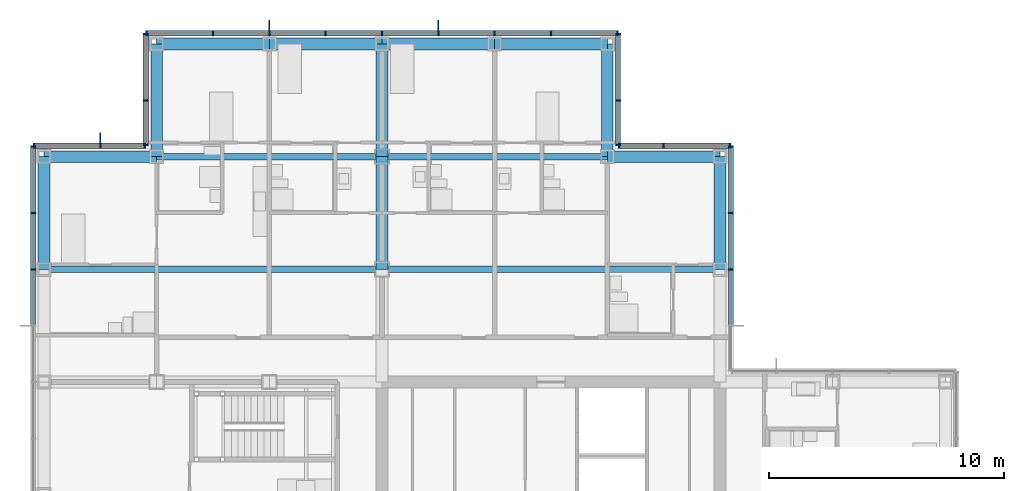
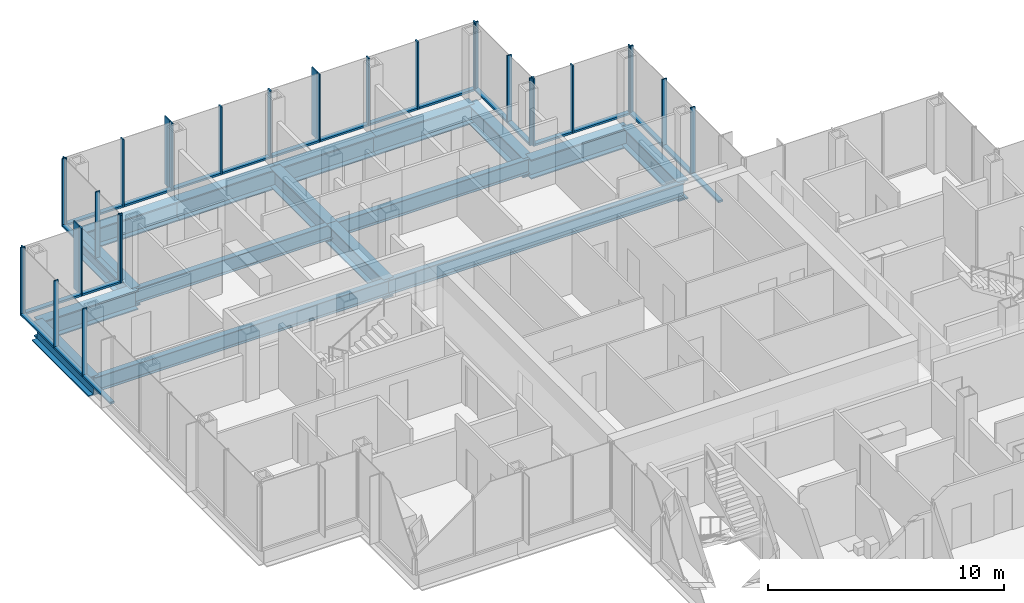
# One storey, part 10 of 20: 52 members, 16 beams, 7 elements without a shape of their own.
"""IFC4 building model written with IfcOpenShell, lengths in metres."""

from ifc_helpers import new_model, si_unit, direction, frame, origin, origin_2d, place, context, subcontext, project, spatial, rectangle, i_section, extrude, material, material_profile, profile_set, type_object, element, aggregate, save


model = new_model("IFC4")

# Units and contexts
model_context = context("Model", 3, precision=1e-05, world=origin(), true_north=direction((0.0, 1.0)))
body_context = subcontext(model_context, "Body", "Model", "MODEL_VIEW")
ifc_project = project(units=[si_unit("LENGTHUNIT", "METRE"), si_unit("AREAUNIT", "SQUARE_METRE"), si_unit("VOLUMEUNIT", "CUBIC_METRE"), si_unit("PLANEANGLEUNIT", "RADIAN"), si_unit("MASSUNIT", "GRAM", prefix="KILO")], contexts=[model_context])

# Site, building, storey
site_placement = place(None, origin())
site = spatial("IfcSite", under=ifc_project, at=site_placement, CompositionType="ELEMENT")
building_placement = place(site_placement, origin())
building = spatial("IfcBuilding", under=site, at=building_placement, Name="Kvirike Care Tower", CompositionType="ELEMENT")
storey_placement = place(building_placement, frame((0.0, 0.0, 119.0)))
storey = spatial("IfcBuildingStorey", under=building, at=storey_placement, Name="L32", CompositionType="ELEMENT", Elevation=119.0)

# Curtain wall, members
ifc_material_1 = material(Name="Anodised aluminium stick system", Category="aluminium")
curtain_wall_type = type_object("IfcCurtainWallType", Name="CW-B STICK CURTAIN WALL", PredefinedType="NOTDEFINED", material=ifc_material_1)
curtain_wall_1_placement = place(storey_placement, origin())
curtain_wall_1 = element("IfcCurtainWall", 1, at=curtain_wall_1_placement, inside=storey, type_object=curtain_wall_type, Name="Curtain wall L32 face 8", PredefinedType="NOTDEFINED")
ifc_material_2 = material(Name="Bronze anodised aluminium fin", Category="aluminium")
ifc_material_profile_1 = material_profile(ifc_material_2, rectangle(XDim=0.050048828125, YDim=0.449951171875, at=origin_2d()), Name="BRONZE FIN 450")
ifc_profile_set_1 = profile_set([ifc_material_profile_1], Name="Bronze anodised aluminium fin")
member_type_1 = type_object("IfcMemberType", Name="BRONZE FIN 450", PredefinedType="USERDEFINED", material=ifc_profile_set_1)
member_1_placement = place(storey_placement, frame((16.800048828125, 58.39501953125, 0.0), z_axis=(0.0, 0.0, 1.0), x_axis=(-1.0, 0.0, 0.0)))
member_1 = element("IfcMember", 2, at=member_1_placement, type_object=member_type_1, Name="Bronze fin L32 face 8.4", ObjectType="FIN", PredefinedType="USERDEFINED", context=body_context, shape_type="SweptSolid", body=[
    extrude(rectangle(XDim=0.050048828125, YDim=0.449951171875, at=origin_2d()), origin(), (0.0, 0.0, 1.0), 3.5),
])
member_2_placement = place(storey_placement, frame((9.60009765625, 58.39501953125, 0.0), z_axis=(0.0, 0.0, 1.0), x_axis=(-1.0, 0.0, 0.0)))
member_2 = element("IfcMember", 3, at=member_2_placement, type_object=member_type_1, Name="Bronze fin L32 face 8.7", ObjectType="FIN", PredefinedType="USERDEFINED", context=body_context, shape_type="SweptSolid", body=[
    extrude(rectangle(XDim=0.050048828125, YDim=0.449951171875, at=origin_2d()), origin(), (0.0, 0.0, 1.0), 3.5),
])

# Curtain wall, member
curtain_wall_2_placement = place(storey_placement, origin())
curtain_wall_2 = element("IfcCurtainWall", 4, at=curtain_wall_2_placement, inside=storey, type_object=curtain_wall_type, Name="Curtain wall L32 face 10", PredefinedType="NOTDEFINED")
member_3_placement = place(storey_placement, frame((2.39990234375, 53.594970703125, 0.0), z_axis=(0.0, 0.0, 1.0), x_axis=(-1.0, 0.0, 0.0)))
member_3 = element("IfcMember", 5, at=member_3_placement, type_object=member_type_1, Name="Bronze fin L32 face 10.2", ObjectType="FIN", PredefinedType="USERDEFINED", context=body_context, shape_type="SweptSolid", body=[
    extrude(rectangle(XDim=0.050048828125, YDim=0.449951171875, at=origin_2d()), origin(), (0.0, 0.0, 1.0), 3.5),
])

# Curtain wall, members
curtain_wall_3_placement = place(storey_placement, origin())
curtain_wall_3 = element("IfcCurtainWall", 6, at=curtain_wall_3_placement, inside=storey, type_object=curtain_wall_type, Name="Curtain wall L32 face 5", PredefinedType="NOTDEFINED")
ifc_material_3 = material(Name="Bronze anodised aluminium mullion", Category="aluminium")
ifc_material_profile_2 = material_profile(ifc_material_3, rectangle(XDim=0.06494140625, YDim=0.219970703125, at=origin_2d()), Name="CW-B MULLION 65x220")
ifc_profile_set_2 = profile_set([ifc_material_profile_2], Name="Bronze anodised aluminium mullion")
member_type_2 = type_object("IfcMemberType", Name="CW-B MULLION 65x220", PredefinedType="MULLION", material=ifc_profile_set_2)
member_4_placement = place(storey_placement, frame((29.260009765625, 48.0, 0.0), z_axis=(0.0, 0.0, 1.0), x_axis=(0.0, 1.0, 0.0)))
member_4 = element("IfcMember", 7, at=member_4_placement, type_object=member_type_2, Name="CW-B mullion L32 face 5.3", PredefinedType="MULLION", context=body_context, shape_type="SweptSolid", body=[
    extrude(rectangle(XDim=0.06494140625, YDim=0.219970703125, at=origin_2d()), origin(), (0.0, 0.0, 1.0), 3.5),
])
member_5_placement = place(storey_placement, frame((29.260009765625, 50.39990234375, 0.0), z_axis=(0.0, 0.0, 1.0), x_axis=(0.0, 1.0, 0.0)))
member_5 = element("IfcMember", 8, at=member_5_placement, type_object=member_type_2, Name="CW-B mullion L32 face 5.4", PredefinedType="MULLION", context=body_context, shape_type="SweptSolid", body=[
    extrude(rectangle(XDim=0.06494140625, YDim=0.219970703125, at=origin_2d()), origin(), (0.0, 0.0, 1.0), 3.5),
])
member_6_placement = place(storey_placement, frame((29.260009765625, 53.2275390625, 0.0), z_axis=(0.0, 0.0, 1.0), x_axis=(0.0, 1.0, 0.0)))
member_6 = element("IfcMember", 9, at=member_6_placement, type_object=member_type_2, Name="CW-B mullion L32 face 5.5", PredefinedType="MULLION", context=body_context, shape_type="SweptSolid", body=[
    extrude(rectangle(XDim=0.06494140625, YDim=0.219970703125, at=origin_2d()), origin(), (0.0, 0.0, 1.0), 3.5),
])

curtain_wall_4_placement = place(storey_placement, origin())
curtain_wall_4 = element("IfcCurtainWall", 10, at=curtain_wall_4_placement, inside=storey, type_object=curtain_wall_type, Name="Curtain wall L32 face 6", PredefinedType="NOTDEFINED")
member_7_placement = place(storey_placement, frame((29.2275390625, 53.260009765625, 0.0), z_axis=(0.0, 0.0, 1.0), x_axis=(-1.0, 0.0, 0.0)))
member_7 = element("IfcMember", 11, at=member_7_placement, type_object=member_type_2, Name="CW-B mullion L32 face 6.1", PredefinedType="MULLION", context=body_context, shape_type="SweptSolid", body=[
    extrude(rectangle(XDim=0.06494140625, YDim=0.219970703125, at=origin_2d()), origin(), (0.0, 0.0, 1.0), 3.5),
])
member_8_placement = place(storey_placement, frame((26.39990234375, 53.260009765625, 0.0), z_axis=(0.0, 0.0, 1.0), x_axis=(-1.0, 0.0, 0.0)))
member_8 = element("IfcMember", 12, at=member_8_placement, type_object=member_type_2, Name="CW-B mullion L32 face 6.2", PredefinedType="MULLION", context=body_context, shape_type="SweptSolid", body=[
    extrude(rectangle(XDim=0.06494140625, YDim=0.219970703125, at=origin_2d()), origin(), (0.0, 0.0, 1.0), 3.5),
])
member_9_placement = place(storey_placement, frame((24.492431640625, 53.260009765625, 0.0), z_axis=(0.0, 0.0, 1.0), x_axis=(-1.0, 0.0, 0.0)))
member_9 = element("IfcMember", 13, at=member_9_placement, type_object=member_type_2, Name="CW-B mullion L32 face 6.3", PredefinedType="MULLION", context=body_context, shape_type="SweptSolid", body=[
    extrude(rectangle(XDim=0.06494140625, YDim=0.219970703125, at=origin_2d()), origin(), (0.0, 0.0, 1.0), 3.5),
])

curtain_wall_5_placement = place(storey_placement, origin())
curtain_wall_5 = element("IfcCurtainWall", 14, at=curtain_wall_5_placement, inside=storey, type_object=curtain_wall_type, Name="Curtain wall L32 face 7", PredefinedType="NOTDEFINED")
member_10_placement = place(storey_placement, frame((24.4599609375, 53.29248046875, 0.0), z_axis=(0.0, 0.0, 1.0), x_axis=(0.0, 1.0, 0.0)))
member_10 = element("IfcMember", 15, at=member_10_placement, type_object=member_type_2, Name="CW-B mullion L32 face 7.1", PredefinedType="MULLION", context=body_context, shape_type="SweptSolid", body=[
    extrude(rectangle(XDim=0.06494140625, YDim=0.219970703125, at=origin_2d()), origin(), (0.0, 0.0, 1.0), 3.5),
])
member_11_placement = place(storey_placement, frame((24.4599609375, 55.199951171875, 0.0), z_axis=(0.0, 0.0, 1.0), x_axis=(0.0, 1.0, 0.0)))
member_11 = element("IfcMember", 16, at=member_11_placement, type_object=member_type_2, Name="CW-B mullion L32 face 7.2", PredefinedType="MULLION", context=body_context, shape_type="SweptSolid", body=[
    extrude(rectangle(XDim=0.06494140625, YDim=0.219970703125, at=origin_2d()), origin(), (0.0, 0.0, 1.0), 3.5),
])
member_12_placement = place(storey_placement, frame((24.4599609375, 58.027587890625, 0.0), z_axis=(0.0, 0.0, 1.0), x_axis=(0.0, 1.0, 0.0)))
member_12 = element("IfcMember", 17, at=member_12_placement, type_object=member_type_2, Name="CW-B mullion L32 face 7.3", PredefinedType="MULLION", context=body_context, shape_type="SweptSolid", body=[
    extrude(rectangle(XDim=0.06494140625, YDim=0.219970703125, at=origin_2d()), origin(), (0.0, 0.0, 1.0), 3.5),
])

# Member
member_13_placement = place(storey_placement, frame((24.427490234375, 58.06005859375, 0.0), z_axis=(0.0, 0.0, 1.0), x_axis=(-1.0, 0.0, 0.0)))
member_13 = element("IfcMember", 18, at=member_13_placement, type_object=member_type_2, Name="CW-B mullion L32 face 8.1", PredefinedType="MULLION", context=body_context, shape_type="SweptSolid", body=[
    extrude(rectangle(XDim=0.06494140625, YDim=0.219970703125, at=origin_2d()), origin(), (0.0, 0.0, 1.0), 3.5),
])

member_14_placement = place(storey_placement, frame((21.60009765625, 58.06005859375, 0.0), z_axis=(0.0, 0.0, 1.0), x_axis=(-1.0, 0.0, 0.0)))
member_14 = element("IfcMember", 19, at=member_14_placement, type_object=member_type_2, Name="CW-B mullion L32 face 8.2", PredefinedType="MULLION", context=body_context, shape_type="SweptSolid", body=[
    extrude(rectangle(XDim=0.06494140625, YDim=0.219970703125, at=origin_2d()), origin(), (0.0, 0.0, 1.0), 3.5),
])

member_15_placement = place(storey_placement, frame((19.199951171875, 58.06005859375, 0.0), z_axis=(0.0, 0.0, 1.0), x_axis=(-1.0, 0.0, 0.0)))
member_15 = element("IfcMember", 20, at=member_15_placement, type_object=member_type_2, Name="CW-B mullion L32 face 8.3", PredefinedType="MULLION", context=body_context, shape_type="SweptSolid", body=[
    extrude(rectangle(XDim=0.06494140625, YDim=0.219970703125, at=origin_2d()), origin(), (0.0, 0.0, 1.0), 3.5),
])

member_16_placement = place(storey_placement, frame((16.800048828125, 58.06005859375, 0.0), z_axis=(0.0, 0.0, 1.0), x_axis=(-1.0, 0.0, 0.0)))
member_16 = element("IfcMember", 21, at=member_16_placement, type_object=member_type_2, Name="CW-B mullion L32 face 8.4", PredefinedType="MULLION", context=body_context, shape_type="SweptSolid", body=[
    extrude(rectangle(XDim=0.06494140625, YDim=0.219970703125, at=origin_2d()), origin(), (0.0, 0.0, 1.0), 3.5),
])

member_17_placement = place(storey_placement, frame((14.39990234375, 58.06005859375, 0.0), z_axis=(0.0, 0.0, 1.0), x_axis=(-1.0, 0.0, 0.0)))
member_17 = element("IfcMember", 22, at=member_17_placement, type_object=member_type_2, Name="CW-B mullion L32 face 8.5", PredefinedType="MULLION", context=body_context, shape_type="SweptSolid", body=[
    extrude(rectangle(XDim=0.06494140625, YDim=0.219970703125, at=origin_2d()), origin(), (0.0, 0.0, 1.0), 3.5),
])

member_18_placement = place(storey_placement, frame((12.0, 58.06005859375, 0.0), z_axis=(0.0, 0.0, 1.0), x_axis=(-1.0, 0.0, 0.0)))
member_18 = element("IfcMember", 23, at=member_18_placement, type_object=member_type_2, Name="CW-B mullion L32 face 8.6", PredefinedType="MULLION", context=body_context, shape_type="SweptSolid", body=[
    extrude(rectangle(XDim=0.06494140625, YDim=0.219970703125, at=origin_2d()), origin(), (0.0, 0.0, 1.0), 3.5),
])

member_19_placement = place(storey_placement, frame((9.60009765625, 58.06005859375, 0.0), z_axis=(0.0, 0.0, 1.0), x_axis=(-1.0, 0.0, 0.0)))
member_19 = element("IfcMember", 24, at=member_19_placement, type_object=member_type_2, Name="CW-B mullion L32 face 8.7", PredefinedType="MULLION", context=body_context, shape_type="SweptSolid", body=[
    extrude(rectangle(XDim=0.06494140625, YDim=0.219970703125, at=origin_2d()), origin(), (0.0, 0.0, 1.0), 3.5),
])

member_20_placement = place(storey_placement, frame((7.199951171875, 58.06005859375, 0.0), z_axis=(0.0, 0.0, 1.0), x_axis=(-1.0, 0.0, 0.0)))
member_20 = element("IfcMember", 25, at=member_20_placement, type_object=member_type_2, Name="CW-B mullion L32 face 8.8", PredefinedType="MULLION", context=body_context, shape_type="SweptSolid", body=[
    extrude(rectangle(XDim=0.06494140625, YDim=0.219970703125, at=origin_2d()), origin(), (0.0, 0.0, 1.0), 3.5),
])

member_21_placement = place(storey_placement, frame((4.37255859375, 58.06005859375, 0.0), z_axis=(0.0, 0.0, 1.0), x_axis=(-1.0, 0.0, 0.0)))
member_21 = element("IfcMember", 26, at=member_21_placement, type_object=member_type_2, Name="CW-B mullion L32 face 8.9", PredefinedType="MULLION", context=body_context, shape_type="SweptSolid", body=[
    extrude(rectangle(XDim=0.06494140625, YDim=0.219970703125, at=origin_2d()), origin(), (0.0, 0.0, 1.0), 3.5),
])

# Curtain wall, members
curtain_wall_6_placement = place(storey_placement, origin())
curtain_wall_6 = element("IfcCurtainWall", 27, at=curtain_wall_6_placement, inside=storey, type_object=curtain_wall_type, Name="Curtain wall L32 face 9", PredefinedType="NOTDEFINED")
member_22_placement = place(storey_placement, frame((4.340087890625, 58.027587890625, 0.0), z_axis=(0.0, 0.0, 1.0), x_axis=(0.0, -1.0, 0.0)))
member_22 = element("IfcMember", 28, at=member_22_placement, type_object=member_type_2, Name="CW-B mullion L32 face 9.1", PredefinedType="MULLION", context=body_context, shape_type="SweptSolid", body=[
    extrude(rectangle(XDim=0.06494140625, YDim=0.219970703125, at=origin_2d()), origin(), (0.0, 0.0, 1.0), 3.5),
])
member_23_placement = place(storey_placement, frame((4.340087890625, 55.199951171875, 0.0), z_axis=(0.0, 0.0, 1.0), x_axis=(0.0, -1.0, 0.0)))
member_23 = element("IfcMember", 29, at=member_23_placement, type_object=member_type_2, Name="CW-B mullion L32 face 9.2", PredefinedType="MULLION", context=body_context, shape_type="SweptSolid", body=[
    extrude(rectangle(XDim=0.06494140625, YDim=0.219970703125, at=origin_2d()), origin(), (0.0, 0.0, 1.0), 3.5),
])
member_24_placement = place(storey_placement, frame((4.340087890625, 53.29248046875, 0.0), z_axis=(0.0, 0.0, 1.0), x_axis=(0.0, -1.0, 0.0)))
member_24 = element("IfcMember", 30, at=member_24_placement, type_object=member_type_2, Name="CW-B mullion L32 face 9.3", PredefinedType="MULLION", context=body_context, shape_type="SweptSolid", body=[
    extrude(rectangle(XDim=0.06494140625, YDim=0.219970703125, at=origin_2d()), origin(), (0.0, 0.0, 1.0), 3.5),
])

# Member
member_25_placement = place(storey_placement, frame((4.3076171875, 53.260009765625, 0.0), z_axis=(0.0, 0.0, 1.0), x_axis=(-1.0, 0.0, 0.0)))
member_25 = element("IfcMember", 31, at=member_25_placement, type_object=member_type_2, Name="CW-B mullion L32 face 10.1", PredefinedType="MULLION", context=body_context, shape_type="SweptSolid", body=[
    extrude(rectangle(XDim=0.06494140625, YDim=0.219970703125, at=origin_2d()), origin(), (0.0, 0.0, 1.0), 3.5),
])

member_26_placement = place(storey_placement, frame((2.39990234375, 53.260009765625, 0.0), z_axis=(0.0, 0.0, 1.0), x_axis=(-1.0, 0.0, 0.0)))
member_26 = element("IfcMember", 32, at=member_26_placement, type_object=member_type_2, Name="CW-B mullion L32 face 10.2", PredefinedType="MULLION", context=body_context, shape_type="SweptSolid", body=[
    extrude(rectangle(XDim=0.06494140625, YDim=0.219970703125, at=origin_2d()), origin(), (0.0, 0.0, 1.0), 3.5),
])

member_27_placement = place(storey_placement, frame((-0.427490234375, 53.260009765625, 0.0), z_axis=(0.0, 0.0, 1.0), x_axis=(-1.0, 0.0, 0.0)))
member_27 = element("IfcMember", 33, at=member_27_placement, type_object=member_type_2, Name="CW-B mullion L32 face 10.3", PredefinedType="MULLION", context=body_context, shape_type="SweptSolid", body=[
    extrude(rectangle(XDim=0.06494140625, YDim=0.219970703125, at=origin_2d()), origin(), (0.0, 0.0, 1.0), 3.5),
])

# Curtain wall, members
curtain_wall_7_placement = place(storey_placement, origin())
curtain_wall_7 = element("IfcCurtainWall", 34, at=curtain_wall_7_placement, inside=storey, type_object=curtain_wall_type, Name="Curtain wall L32 face 11", PredefinedType="NOTDEFINED")
member_28_placement = place(storey_placement, frame((-0.4599609375, 53.2275390625, 0.0), z_axis=(0.0, 0.0, 1.0), x_axis=(0.0, -1.0, 0.0)))
member_28 = element("IfcMember", 35, at=member_28_placement, type_object=member_type_2, Name="CW-B mullion L32 face 11.1", PredefinedType="MULLION", context=body_context, shape_type="SweptSolid", body=[
    extrude(rectangle(XDim=0.06494140625, YDim=0.219970703125, at=origin_2d()), origin(), (0.0, 0.0, 1.0), 3.5),
])
member_29_placement = place(storey_placement, frame((-0.4599609375, 50.39990234375, 0.0), z_axis=(0.0, 0.0, 1.0), x_axis=(0.0, -1.0, 0.0)))
member_29 = element("IfcMember", 36, at=member_29_placement, type_object=member_type_2, Name="CW-B mullion L32 face 11.2", PredefinedType="MULLION", context=body_context, shape_type="SweptSolid", body=[
    extrude(rectangle(XDim=0.06494140625, YDim=0.219970703125, at=origin_2d()), origin(), (0.0, 0.0, 1.0), 3.5),
])
member_30_placement = place(storey_placement, frame((-0.4599609375, 48.0, 0.0), z_axis=(0.0, 0.0, 1.0), x_axis=(0.0, -1.0, 0.0)))
member_30 = element("IfcMember", 37, at=member_30_placement, type_object=member_type_2, Name="CW-B mullion L32 face 11.3", PredefinedType="MULLION", context=body_context, shape_type="SweptSolid", body=[
    extrude(rectangle(XDim=0.06494140625, YDim=0.219970703125, at=origin_2d()), origin(), (0.0, 0.0, 1.0), 3.5),
])

# Member
ifc_material_4 = material(Name="Bronze anodised aluminium transom", Category="aluminium")
ifc_material_profile_3 = material_profile(ifc_material_4, rectangle(XDim=0.219970703125, YDim=0.10009765625, at=origin_2d()), Name="CW-B TRANSOM 220x100")
ifc_profile_set_3 = profile_set([ifc_material_profile_3], Name="Bronze anodised aluminium transom")
member_type_3 = type_object("IfcMemberType", Name="CW-B TRANSOM 220x100", PredefinedType="USERDEFINED", material=ifc_profile_set_3)
member_31_placement = place(storey_placement, frame((29.260009765625, 45.632568359375, 0.050048828125), z_axis=(0.0, 1.0, 0.0), x_axis=(-1.0, 0.0, 0.0)))
member_31 = element("IfcMember", 38, at=member_31_placement, type_object=member_type_3, Name="CW-B sill transom L32 face 5.2", ObjectType="TRANSOM", PredefinedType="USERDEFINED", context=body_context, shape_type="SweptSolid", body=[
    extrude(rectangle(XDim=0.219970703125, YDim=0.10009765625, at=origin_2d()), origin(), (0.0, 0.0, 1.0), 2.3349609375),
])

member_32_placement = place(storey_placement, frame((29.260009765625, 48.032470703125, 0.050048828125), z_axis=(0.0, 1.0, 0.0), x_axis=(-1.0, 0.0, 0.0)))
member_32 = element("IfcMember", 39, at=member_32_placement, type_object=member_type_3, Name="CW-B sill transom L32 face 5.3", ObjectType="TRANSOM", PredefinedType="USERDEFINED", context=body_context, shape_type="SweptSolid", body=[
    extrude(rectangle(XDim=0.219970703125, YDim=0.10009765625, at=origin_2d()), origin(), (0.0, 0.0, 1.0), 2.3349609375),
])

member_33_placement = place(storey_placement, frame((29.260009765625, 50.4326171875, 0.050048828125), z_axis=(0.0, 1.0, 0.0), x_axis=(-1.0, 0.0, 0.0)))
member_33 = element("IfcMember", 40, at=member_33_placement, type_object=member_type_3, Name="CW-B sill transom L32 face 5.4", ObjectType="TRANSOM", PredefinedType="USERDEFINED", context=body_context, shape_type="SweptSolid", body=[
    extrude(rectangle(XDim=0.219970703125, YDim=0.10009765625, at=origin_2d()), origin(), (0.0, 0.0, 1.0), 2.762451171875),
])

aggregate(curtain_wall_3, [member_4, member_5, member_6, member_31, member_32, member_33])

member_34_placement = place(storey_placement, frame((29.195068359375, 53.260009765625, 0.050048828125), z_axis=(-1.0, 0.0, 0.0), x_axis=(0.0, -1.0, 0.0)))
member_34 = element("IfcMember", 41, at=member_34_placement, type_object=member_type_3, Name="CW-B sill transom L32 face 6.1", ObjectType="TRANSOM", PredefinedType="USERDEFINED", context=body_context, shape_type="SweptSolid", body=[
    extrude(rectangle(XDim=0.219970703125, YDim=0.10009765625, at=origin_2d()), origin(), (0.0, 0.0, 1.0), 2.762451171875),
])

member_35_placement = place(storey_placement, frame((26.367431640625, 53.260009765625, 0.050048828125), z_axis=(-1.0, 0.0, 0.0), x_axis=(0.0, -1.0, 0.0)))
member_35 = element("IfcMember", 42, at=member_35_placement, type_object=member_type_3, Name="CW-B sill transom L32 face 6.2", ObjectType="TRANSOM", PredefinedType="USERDEFINED", context=body_context, shape_type="SweptSolid", body=[
    extrude(rectangle(XDim=0.219970703125, YDim=0.10009765625, at=origin_2d()), origin(), (0.0, 0.0, 1.0), 1.842529296875),
])

aggregate(curtain_wall_4, [member_7, member_8, member_9, member_34, member_35])

member_36_placement = place(storey_placement, frame((24.4599609375, 53.324951171875, 0.050048828125), z_axis=(0.0, 1.0, 0.0), x_axis=(-1.0, 0.0, 0.0)))
member_36 = element("IfcMember", 43, at=member_36_placement, type_object=member_type_3, Name="CW-B sill transom L32 face 7.1", ObjectType="TRANSOM", PredefinedType="USERDEFINED", context=body_context, shape_type="SweptSolid", body=[
    extrude(rectangle(XDim=0.219970703125, YDim=0.10009765625, at=origin_2d()), origin(), (0.0, 0.0, 1.0), 1.842529296875),
])

member_37_placement = place(storey_placement, frame((24.4599609375, 55.232421875, 0.050048828125), z_axis=(0.0, 1.0, 0.0), x_axis=(-1.0, 0.0, 0.0)))
member_37 = element("IfcMember", 44, at=member_37_placement, type_object=member_type_3, Name="CW-B sill transom L32 face 7.2", ObjectType="TRANSOM", PredefinedType="USERDEFINED", context=body_context, shape_type="SweptSolid", body=[
    extrude(rectangle(XDim=0.219970703125, YDim=0.10009765625, at=origin_2d()), origin(), (0.0, 0.0, 1.0), 2.7626953125),
])

aggregate(curtain_wall_5, [member_10, member_11, member_12, member_36, member_37])

member_38_placement = place(storey_placement, frame((24.39501953125, 58.06005859375, 0.050048828125), z_axis=(-1.0, 0.0, 0.0), x_axis=(0.0, -1.0, 0.0)))
member_38 = element("IfcMember", 45, at=member_38_placement, type_object=member_type_3, Name="CW-B sill transom L32 face 8.1", ObjectType="TRANSOM", PredefinedType="USERDEFINED", context=body_context, shape_type="SweptSolid", body=[
    extrude(rectangle(XDim=0.219970703125, YDim=0.10009765625, at=origin_2d()), origin(), (0.0, 0.0, 1.0), 2.762451171875),
])

member_39_placement = place(storey_placement, frame((21.5673828125, 58.06005859375, 0.050048828125), z_axis=(-1.0, 0.0, 0.0), x_axis=(0.0, -1.0, 0.0)))
member_39 = element("IfcMember", 46, at=member_39_placement, type_object=member_type_3, Name="CW-B sill transom L32 face 8.2", ObjectType="TRANSOM", PredefinedType="USERDEFINED", context=body_context, shape_type="SweptSolid", body=[
    extrude(rectangle(XDim=0.219970703125, YDim=0.10009765625, at=origin_2d()), origin(), (0.0, 0.0, 1.0), 2.3349609375),
])

member_40_placement = place(storey_placement, frame((19.16748046875, 58.06005859375, 0.050048828125), z_axis=(-1.0, 0.0, 0.0), x_axis=(0.0, -1.0, 0.0)))
member_40 = element("IfcMember", 47, at=member_40_placement, type_object=member_type_3, Name="CW-B sill transom L32 face 8.3", ObjectType="TRANSOM", PredefinedType="USERDEFINED", context=body_context, shape_type="SweptSolid", body=[
    extrude(rectangle(XDim=0.219970703125, YDim=0.10009765625, at=origin_2d()), origin(), (0.0, 0.0, 1.0), 2.3349609375),
])

member_41_placement = place(storey_placement, frame((16.767578125, 58.06005859375, 0.050048828125), z_axis=(-1.0, 0.0, 0.0), x_axis=(0.0, -1.0, 0.0)))
member_41 = element("IfcMember", 48, at=member_41_placement, type_object=member_type_3, Name="CW-B sill transom L32 face 8.4", ObjectType="TRANSOM", PredefinedType="USERDEFINED", context=body_context, shape_type="SweptSolid", body=[
    extrude(rectangle(XDim=0.219970703125, YDim=0.10009765625, at=origin_2d()), origin(), (0.0, 0.0, 1.0), 2.3349609375),
])

member_42_placement = place(storey_placement, frame((14.367431640625, 58.06005859375, 0.050048828125), z_axis=(-1.0, 0.0, 0.0), x_axis=(0.0, -1.0, 0.0)))
member_42 = element("IfcMember", 49, at=member_42_placement, type_object=member_type_3, Name="CW-B sill transom L32 face 8.5", ObjectType="TRANSOM", PredefinedType="USERDEFINED", context=body_context, shape_type="SweptSolid", body=[
    extrude(rectangle(XDim=0.219970703125, YDim=0.10009765625, at=origin_2d()), origin(), (0.0, 0.0, 1.0), 2.3349609375),
])

member_43_placement = place(storey_placement, frame((11.967529296875, 58.06005859375, 0.050048828125), z_axis=(-1.0, 0.0, 0.0), x_axis=(0.0, -1.0, 0.0)))
member_43 = element("IfcMember", 50, at=member_43_placement, type_object=member_type_3, Name="CW-B sill transom L32 face 8.6", ObjectType="TRANSOM", PredefinedType="USERDEFINED", context=body_context, shape_type="SweptSolid", body=[
    extrude(rectangle(XDim=0.219970703125, YDim=0.10009765625, at=origin_2d()), origin(), (0.0, 0.0, 1.0), 2.3349609375),
])

member_44_placement = place(storey_placement, frame((9.5673828125, 58.06005859375, 0.050048828125), z_axis=(-1.0, 0.0, 0.0), x_axis=(0.0, -1.0, 0.0)))
member_44 = element("IfcMember", 51, at=member_44_placement, type_object=member_type_3, Name="CW-B sill transom L32 face 8.7", ObjectType="TRANSOM", PredefinedType="USERDEFINED", context=body_context, shape_type="SweptSolid", body=[
    extrude(rectangle(XDim=0.219970703125, YDim=0.10009765625, at=origin_2d()), origin(), (0.0, 0.0, 1.0), 2.3349609375),
])

member_45_placement = place(storey_placement, frame((7.16748046875, 58.06005859375, 0.050048828125), z_axis=(-1.0, 0.0, 0.0), x_axis=(0.0, -1.0, 0.0)))
member_45 = element("IfcMember", 52, at=member_45_placement, type_object=member_type_3, Name="CW-B sill transom L32 face 8.8", ObjectType="TRANSOM", PredefinedType="USERDEFINED", context=body_context, shape_type="SweptSolid", body=[
    extrude(rectangle(XDim=0.219970703125, YDim=0.10009765625, at=origin_2d()), origin(), (0.0, 0.0, 1.0), 2.762451171875),
])

aggregate(curtain_wall_1, [member_13, member_14, member_15, member_16, member_1, member_17, member_18, member_19, member_2, member_20, member_21, member_38, member_39, member_40, member_41, member_42, member_43, member_44, member_45])

member_46_placement = place(storey_placement, frame((4.340087890625, 57.9951171875, 0.050048828125), z_axis=(0.0, -1.0, 0.0), x_axis=(1.0, 0.0, 0.0)))
member_46 = element("IfcMember", 53, at=member_46_placement, type_object=member_type_3, Name="CW-B sill transom L32 face 9.1", ObjectType="TRANSOM", PredefinedType="USERDEFINED", context=body_context, shape_type="SweptSolid", body=[
    extrude(rectangle(XDim=0.219970703125, YDim=0.10009765625, at=origin_2d()), origin(), (0.0, 0.0, 1.0), 2.7626953125),
])

member_47_placement = place(storey_placement, frame((4.340087890625, 55.16748046875, 0.050048828125), z_axis=(0.0, -1.0, 0.0), x_axis=(1.0, 0.0, 0.0)))
member_47 = element("IfcMember", 54, at=member_47_placement, type_object=member_type_3, Name="CW-B sill transom L32 face 9.2", ObjectType="TRANSOM", PredefinedType="USERDEFINED", context=body_context, shape_type="SweptSolid", body=[
    extrude(rectangle(XDim=0.219970703125, YDim=0.10009765625, at=origin_2d()), origin(), (0.0, 0.0, 1.0), 1.842529296875),
])

aggregate(curtain_wall_6, [member_22, member_23, member_24, member_46, member_47])

member_48_placement = place(storey_placement, frame((4.27490234375, 53.260009765625, 0.050048828125), z_axis=(-1.0, 0.0, 0.0), x_axis=(0.0, -1.0, 0.0)))
member_48 = element("IfcMember", 55, at=member_48_placement, type_object=member_type_3, Name="CW-B sill transom L32 face 10.1", ObjectType="TRANSOM", PredefinedType="USERDEFINED", context=body_context, shape_type="SweptSolid", body=[
    extrude(rectangle(XDim=0.219970703125, YDim=0.10009765625, at=origin_2d()), origin(), (0.0, 0.0, 1.0), 1.84228515625),
])

member_49_placement = place(storey_placement, frame((2.367431640625, 53.260009765625, 0.050048828125), z_axis=(-1.0, 0.0, 0.0), x_axis=(0.0, -1.0, 0.0)))
member_49 = element("IfcMember", 56, at=member_49_placement, type_object=member_type_3, Name="CW-B sill transom L32 face 10.2", ObjectType="TRANSOM", PredefinedType="USERDEFINED", context=body_context, shape_type="SweptSolid", body=[
    extrude(rectangle(XDim=0.219970703125, YDim=0.10009765625, at=origin_2d()), origin(), (0.0, 0.0, 1.0), 2.762451171875),
])

aggregate(curtain_wall_2, [member_25, member_26, member_3, member_27, member_48, member_49])

member_50_placement = place(storey_placement, frame((-0.4599609375, 53.195068359375, 0.050048828125), z_axis=(0.0, -1.0, 0.0), x_axis=(1.0, 0.0, 0.0)))
member_50 = element("IfcMember", 57, at=member_50_placement, type_object=member_type_3, Name="CW-B sill transom L32 face 11.1", ObjectType="TRANSOM", PredefinedType="USERDEFINED", context=body_context, shape_type="SweptSolid", body=[
    extrude(rectangle(XDim=0.219970703125, YDim=0.10009765625, at=origin_2d()), origin(), (0.0, 0.0, 1.0), 2.762451171875),
])

member_51_placement = place(storey_placement, frame((-0.4599609375, 50.367431640625, 0.050048828125), z_axis=(0.0, -1.0, 0.0), x_axis=(1.0, 0.0, 0.0)))
member_51 = element("IfcMember", 58, at=member_51_placement, type_object=member_type_3, Name="CW-B sill transom L32 face 11.2", ObjectType="TRANSOM", PredefinedType="USERDEFINED", context=body_context, shape_type="SweptSolid", body=[
    extrude(rectangle(XDim=0.219970703125, YDim=0.10009765625, at=origin_2d()), origin(), (0.0, 0.0, 1.0), 2.3349609375),
])

member_52_placement = place(storey_placement, frame((-0.4599609375, 47.967529296875, 0.050048828125), z_axis=(0.0, -1.0, 0.0), x_axis=(1.0, 0.0, 0.0)))
member_52 = element("IfcMember", 59, at=member_52_placement, type_object=member_type_3, Name="CW-B sill transom L32 face 11.3", ObjectType="TRANSOM", PredefinedType="USERDEFINED", context=body_context, shape_type="SweptSolid", body=[
    extrude(rectangle(XDim=0.219970703125, YDim=0.10009765625, at=origin_2d()), origin(), (0.0, 0.0, 1.0), 2.3349609375),
])

aggregate(curtain_wall_7, [member_28, member_29, member_30, member_50, member_51, member_52])

# Beams
ifc_material_5 = material(Name="Steel S355", Category="steel")
ifc_material_profile_4 = material_profile(ifc_material_5, i_section(OverallWidth=0.26806640625, OverallDepth=0.77001953125, WebThickness=0.015625, FlangeThickness=0.025390625, FilletRadius=0.01708984375, at=origin_2d()), Name="IPE 750x196")
ifc_profile_set_4 = profile_set([ifc_material_profile_4], Name="Steel S355")
beam_type_1 = type_object("IfcBeamType", Name="FLOOR BEAM IPE 750x196", PredefinedType="BEAM", material=ifc_profile_set_4)
beam_1_placement = place(storey_placement, frame((0.0, 48.0, -0.554931640625), z_axis=(1.0, 0.0, 0.0), x_axis=(0.0, 1.0, 0.0)))
element("IfcBeam", 60, at=beam_1_placement, inside=storey, type_object=beam_type_1, Name="Floor Beam L3-L6 L32", PredefinedType="BEAM", context=body_context, shape_type="SweptSolid", body=[
    extrude(i_section(OverallWidth=0.26806640625, OverallDepth=0.77001953125, WebThickness=0.015625, FlangeThickness=0.025390625, FilletRadius=0.01708984375, at=origin_2d()), origin(), (0.0, 0.0, 1.0), 14.39990234375),
])
beam_2_placement = place(storey_placement, frame((14.39990234375, 48.0, -0.554931640625), z_axis=(1.0, 0.0, 0.0), x_axis=(0.0, 1.0, 0.0)))
element("IfcBeam", 61, at=beam_2_placement, inside=storey, type_object=beam_type_1, Name="Floor Beam L6-L9 L32", PredefinedType="BEAM", context=body_context, shape_type="SweptSolid", body=[
    extrude(i_section(OverallWidth=0.26806640625, OverallDepth=0.77001953125, WebThickness=0.015625, FlangeThickness=0.025390625, FilletRadius=0.01708984375, at=origin_2d()), origin(), (0.0, 0.0, 1.0), 14.400146484375),
])
beam_3_placement = place(storey_placement, frame((4.800048828125, 52.800048828125, -0.554931640625), z_axis=(1.0, 0.0, 0.0), x_axis=(0.0, 1.0, 0.0)))
element("IfcBeam", 62, at=beam_3_placement, inside=storey, type_object=beam_type_1, Name="Floor Beam M4-M6 L32", PredefinedType="BEAM", context=body_context, shape_type="SweptSolid", body=[
    extrude(i_section(OverallWidth=0.26806640625, OverallDepth=0.77001953125, WebThickness=0.015625, FlangeThickness=0.025390625, FilletRadius=0.01708984375, at=origin_2d()), origin(), (0.0, 0.0, 1.0), 9.599853515625),
])
beam_4_placement = place(storey_placement, frame((14.39990234375, 52.800048828125, -0.554931640625), z_axis=(1.0, 0.0, 0.0), x_axis=(0.0, 1.0, 0.0)))
element("IfcBeam", 63, at=beam_4_placement, inside=storey, type_object=beam_type_1, Name="Floor Beam M6-M8 L32", PredefinedType="BEAM", context=body_context, shape_type="SweptSolid", body=[
    extrude(i_section(OverallWidth=0.26806640625, OverallDepth=0.77001953125, WebThickness=0.015625, FlangeThickness=0.025390625, FilletRadius=0.01708984375, at=origin_2d()), origin(), (0.0, 0.0, 1.0), 9.60009765625),
])
ifc_material_6 = material(Name="Steel S355", Category="steel")
ifc_material_profile_5 = material_profile(ifc_material_6, i_section(OverallWidth=0.5, OverallDepth=1.0, WebThickness=0.030029296875, FlangeThickness=0.06005859375, at=origin_2d()), Name="PG 1000x500x30x60")
ifc_profile_set_5 = profile_set([ifc_material_profile_5], Name="Steel S355")
beam_type_2 = type_object("IfcBeamType", Name="FRAME BEAM PG 1000x500x30x60", PredefinedType="BEAM", material=ifc_profile_set_5)
for number, where, z_axis, x_axis, name in (
    (64, (14.39990234375, 48.0, -0.669921875), (0.0, 1.0, 0.0), (-1.0, 0.0, 0.0), "Frame Beam L6-M6 L32"),
    (65, (14.39990234375, 52.800048828125, -0.669921875), (0.0, 1.0, 0.0), (-1.0, 0.0, 0.0), "Frame Beam M6-N6 L32"),
):
    element("IfcBeam", number, at=place(storey_placement, frame(where, z_axis=z_axis, x_axis=x_axis)), inside=storey, type_object=beam_type_2, Name=name, PredefinedType="BEAM", context=body_context, shape_type="SweptSolid", body=[
        extrude(i_section(OverallWidth=0.5, OverallDepth=1.0, WebThickness=0.030029296875, FlangeThickness=0.06005859375, at=origin_2d()), origin(), (0.0, 0.0, 1.0), 4.800048828125),
    ])
ifc_material_7 = material(Name="Steel S355", Category="steel")
ifc_material_profile_6 = material_profile(ifc_material_7, i_section(OverallWidth=0.5, OverallDepth=1.0, WebThickness=0.030029296875, FlangeThickness=0.06005859375, at=origin_2d()), Name="PG 1000x500x30x60")
ifc_profile_set_6 = profile_set([ifc_material_profile_6], Name="Steel S355")
beam_type_3 = type_object("IfcBeamType", Name="SPANDREL PG 1000x500x30x60", PredefinedType="SPANDREL", material=ifc_profile_set_6)
for number, where, z_axis, x_axis, name in (
    (66, (0.0, 52.800048828125, -0.669921875), (1.0, 0.0, 0.0), (0.0, 1.0, 0.0), "Spandrel M3-M4 L32"),
    (67, (24.0, 52.800048828125, -0.669921875), (1.0, 0.0, 0.0), (0.0, 1.0, 0.0), "Spandrel M8-M9 L32"),
    (68, (4.800048828125, 57.60009765625, -0.669921875), (1.0, 0.0, 0.0), (0.0, 1.0, 0.0), "Spandrel N4-N5 L32"),
):
    element("IfcBeam", number, at=place(storey_placement, frame(where, z_axis=z_axis, x_axis=x_axis)), inside=storey, type_object=beam_type_3, Name=name, PredefinedType="SPANDREL", context=body_context, shape_type="SweptSolid", body=[
        extrude(i_section(OverallWidth=0.5, OverallDepth=1.0, WebThickness=0.030029296875, FlangeThickness=0.06005859375, at=origin_2d()), origin(), (0.0, 0.0, 1.0), 4.800048828125),
    ])
beam_5_placement = place(storey_placement, frame((9.60009765625, 57.60009765625, -0.669921875), z_axis=(1.0, 0.0, 0.0), x_axis=(0.0, 1.0, 0.0)))
element("IfcBeam", 69, at=beam_5_placement, inside=storey, type_object=beam_type_3, Name="Spandrel N5-N6 L32", PredefinedType="SPANDREL", context=body_context, shape_type="SweptSolid", body=[
    extrude(i_section(OverallWidth=0.5, OverallDepth=1.0, WebThickness=0.030029296875, FlangeThickness=0.06005859375, at=origin_2d()), origin(), (0.0, 0.0, 1.0), 4.7998046875),
])
for number, where, z_axis, x_axis, name in (
    (70, (14.39990234375, 57.60009765625, -0.669921875), (1.0, 0.0, 0.0), (0.0, 1.0, 0.0), "Spandrel N6-N7 L32"),
    (71, (19.199951171875, 57.60009765625, -0.669921875), (1.0, 0.0, 0.0), (0.0, 1.0, 0.0), "Spandrel N7-N8 L32"),
    (72, (0.0, 48.0, -0.669921875), (0.0, 1.0, 0.0), (-1.0, 0.0, 0.0), "Spandrel L3-M3 L32"),
    (73, (4.800048828125, 52.800048828125, -0.669921875), (0.0, 1.0, 0.0), (-1.0, 0.0, 0.0), "Spandrel M4-N4 L32"),
    (74, (24.0, 52.800048828125, -0.669921875), (0.0, 1.0, 0.0), (-1.0, 0.0, 0.0), "Spandrel M8-N8 L32"),
    (75, (28.800048828125, 48.0, -0.669921875), (0.0, 1.0, 0.0), (-1.0, 0.0, 0.0), "Spandrel L9-M9 L32"),
):
    element("IfcBeam", number, at=place(storey_placement, frame(where, z_axis=z_axis, x_axis=x_axis)), inside=storey, type_object=beam_type_3, Name=name, PredefinedType="SPANDREL", context=body_context, shape_type="SweptSolid", body=[
        extrude(i_section(OverallWidth=0.5, OverallDepth=1.0, WebThickness=0.030029296875, FlangeThickness=0.06005859375, at=origin_2d()), origin(), (0.0, 0.0, 1.0), 4.800048828125),
    ])

save(model, "model.ifc")
